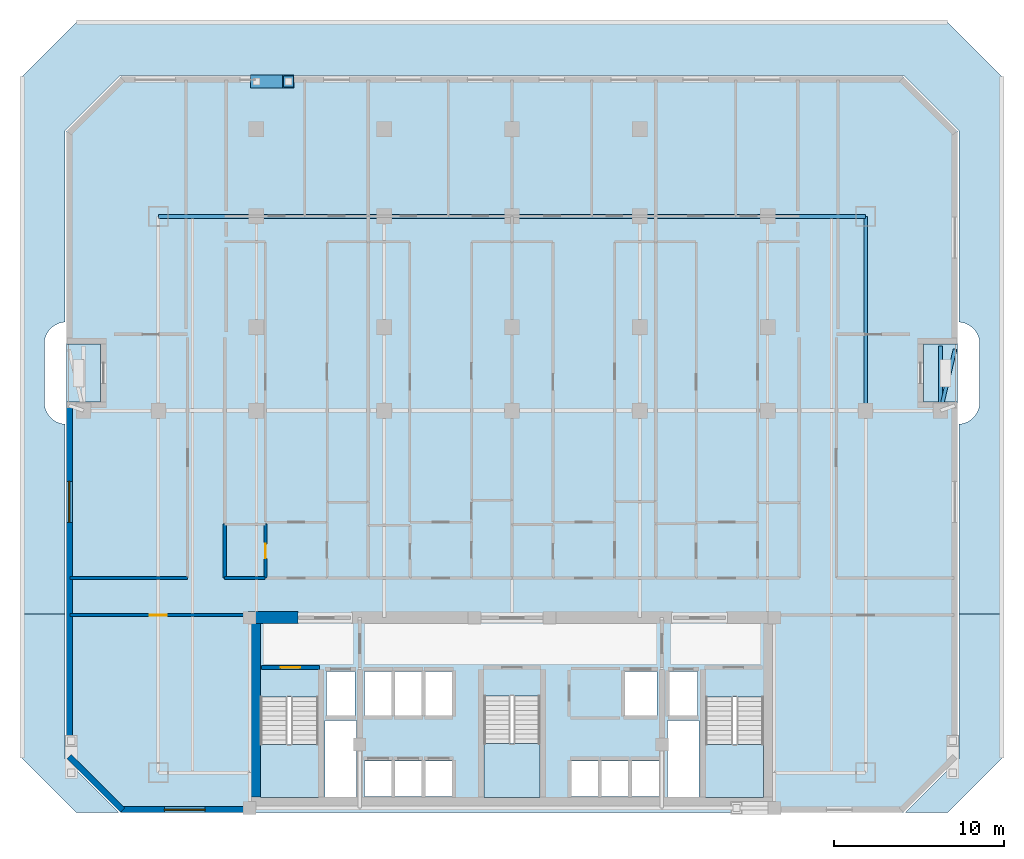
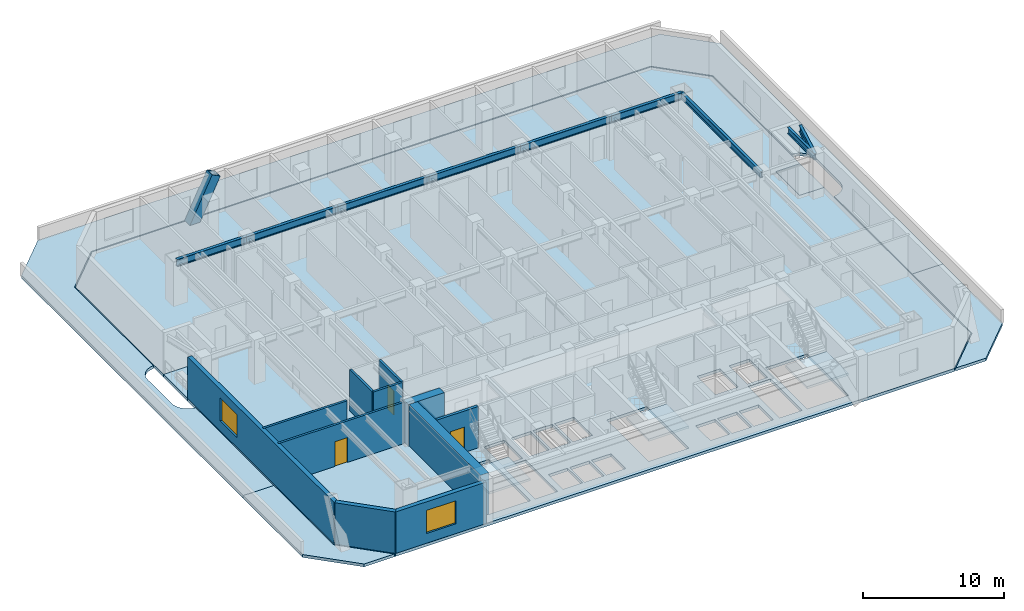
# One storey, part 2 of 10: 11 walls, 9 beams, 9 slabs, 3 doors, 2 windows, 1 member, 5 openings, 3 elements without a shape of their own.
"""IFC4 building model written with IfcOpenShell, lengths in metres."""

from ifc_helpers import new_model, si_unit, direction, frame, frame_2d, origin, origin_2d, place, context, subcontext, project, spatial, polyline, rectangle, hollow_rectangle, i_section, outline, extrude, material, layer, layer_set, material_profile, profile_set, type_object, element, fill, aggregate, save


model = new_model("IFC4")

# Units and contexts
model_context = context("Model", 3, precision=1e-05, world=origin(), true_north=direction((0.0, 1.0)))
body_context = subcontext(model_context, "Body", "Model", "MODEL_VIEW")
ifc_project = project(units=[si_unit("LENGTHUNIT", "METRE"), si_unit("AREAUNIT", "SQUARE_METRE"), si_unit("VOLUMEUNIT", "CUBIC_METRE"), si_unit("PLANEANGLEUNIT", "RADIAN"), si_unit("MASSUNIT", "GRAM", prefix="KILO")], contexts=[model_context])

# Site, building, storey
site_placement = place(None, origin())
site = spatial("IfcSite", under=ifc_project, at=site_placement, CompositionType="ELEMENT")
building_placement = place(site_placement, origin())
building = spatial("IfcBuilding", under=site, at=building_placement, Name="Ventersveld Concourse Tower", CompositionType="ELEMENT")
storey_placement = place(building_placement, frame((0.0, 0.0, 92.60009765625)))
storey = spatial("IfcBuildingStorey", under=building, at=storey_placement, Name="L22", CompositionType="ELEMENT", Elevation=92.60009765625)

# Beams
ifc_material_1 = material(Name="Structural steel S355J2", Category="steel")
ifc_material_profile_1 = material_profile(ifc_material_1, i_section(OverallWidth=0.230224609375, OverallDepth=0.6171875, WebThickness=0.01318359375, FlangeThickness=0.022216796875, FilletRadius=0.0126953125, at=origin_2d()), Name="UB 610x229x140")
ifc_profile_set_1 = profile_set([ifc_material_profile_1], Name="Structural steel S355J2")
beam_type_1 = type_object("IfcBeamType", Name="GRD-UB610", PredefinedType="USERDEFINED", material=ifc_profile_set_1)
beam_1_placement = place(storey_placement, frame((8.0, 35.0, 3.291259765625), z_axis=(1.0, 0.0, 0.0), x_axis=(0.0, 1.0, 0.0)))
element("IfcBeam", 1, at=beam_1_placement, inside=storey, type_object=beam_type_1, Name="L22 E-W Grid Girder Y=35.00 #1", ObjectType="GIRDER", PredefinedType="USERDEFINED", context=body_context, shape_type="SweptSolid", body=[
    extrude(i_section(OverallWidth=0.230224609375, OverallDepth=0.6171875, WebThickness=0.01318359375, FlangeThickness=0.022216796875, FilletRadius=0.0126953125, at=origin_2d()), origin(), (0.0, 0.0, 1.0), 5.75),
])
for number, where, z_axis, x_axis, name in (
    (2, (13.75, 35.0, 3.291259765625), (1.0, 0.0, 0.0), (0.0, 1.0, 0.0), "L22 E-W Grid Girder Y=35.00 #2"),
    (3, (21.25, 35.0, 3.291259765625), (1.0, 0.0, 0.0), (0.0, 1.0, 0.0), "L22 E-W Grid Girder Y=35.00 #3"),
    (4, (28.75, 35.0, 3.291259765625), (1.0, 0.0, 0.0), (0.0, 1.0, 0.0), "L22 E-W Grid Girder Y=35.00 #4"),
    (5, (36.25, 35.0, 3.291259765625), (1.0, 0.0, 0.0), (0.0, 1.0, 0.0), "L22 E-W Grid Girder Y=35.00 #5"),
):
    element("IfcBeam", number, at=place(storey_placement, frame(where, z_axis=z_axis, x_axis=x_axis)), inside=storey, type_object=beam_type_1, Name=name, ObjectType="GIRDER", PredefinedType="USERDEFINED", context=body_context, shape_type="SweptSolid", body=[
        extrude(i_section(OverallWidth=0.230224609375, OverallDepth=0.6171875, WebThickness=0.01318359375, FlangeThickness=0.022216796875, FilletRadius=0.0126953125, at=origin_2d()), origin(), (0.0, 0.0, 1.0), 7.5),
    ])
beam_2_placement = place(storey_placement, frame((43.75, 35.0, 3.291259765625), z_axis=(1.0, 0.0, 0.0), x_axis=(0.0, 1.0, 0.0)))
element("IfcBeam", 6, at=beam_2_placement, inside=storey, type_object=beam_type_1, Name="L22 E-W Grid Girder Y=35.00 #6", ObjectType="GIRDER", PredefinedType="USERDEFINED", context=body_context, shape_type="SweptSolid", body=[
    extrude(i_section(OverallWidth=0.230224609375, OverallDepth=0.6171875, WebThickness=0.01318359375, FlangeThickness=0.022216796875, FilletRadius=0.0126953125, at=origin_2d()), origin(), (0.0, 0.0, 1.0), 5.75),
])

# Member
ifc_material_2 = material(Name="Structural steel S355ML", Category="steel")
ifc_material_profile_2 = material_profile(ifc_material_2, hollow_rectangle(XDim=0.75, YDim=0.75, WallThickness=0.044921875, at=origin_2d()), Name="BOX 750x750x45")
ifc_profile_set_2 = profile_set([ifc_material_profile_2], Name="Structural steel S355ML")
member_type = type_object("IfcMemberType", Name="MB-750x750", PredefinedType="BRACE", material=ifc_profile_set_2)
member_placement = place(storey_placement, frame((13.75, 42.919921875, -0.25), z_axis=(0.437861906815, 0.0, 0.899042240699), x_axis=(0.0, 1.0, 0.0)))
element("IfcMember", 7, at=member_placement, inside=storey, type_object=member_type, Name="L22 Exterior Mega-Brace N (Module M05)", PredefinedType="BRACE", context=body_context, shape_type="SweptSolid", body=[
    extrude(hollow_rectangle(XDim=0.75, YDim=0.75, WallThickness=0.044921875, at=origin_2d()), origin(), (0.0, 0.0, 1.0), 4.2822265625),
])

# Beams
ifc_material_profile_3 = material_profile(ifc_material_1, i_section(OverallWidth=0.2119140625, OverallDepth=0.54443359375, WebThickness=0.0126953125, FlangeThickness=0.021240234375, FilletRadius=0.0126953125, at=origin_2d()), Name="UB 533x210x122")
ifc_profile_set_3 = profile_set([ifc_material_profile_3], Name="Structural steel S355J2")
beam_type_2 = type_object("IfcBeamType", Name="SPD-UB533", PredefinedType="SPANDREL", material=ifc_profile_set_3)
beam_3_placement = place(storey_placement, frame((49.5, 23.60009765625, 3.32763671875), z_axis=(0.0, 1.0, 0.0), x_axis=(-1.0, 0.0, 0.0)))
element("IfcBeam", 8, at=beam_3_placement, inside=storey, type_object=beam_type_2, Name="L22 East Spandrel Beam N", PredefinedType="SPANDREL", context=body_context, shape_type="SweptSolid", body=[
    extrude(i_section(OverallWidth=0.2119140625, OverallDepth=0.54443359375, WebThickness=0.0126953125, FlangeThickness=0.021240234375, FilletRadius=0.0126953125, at=origin_2d()), origin(), (0.0, 0.0, 1.0), 11.39990234375),
])
beam_4_placement = place(storey_placement, frame((53.89990234375, 23.60009765625, 3.32763671875), z_axis=(0.0, 1.0, 0.0), x_axis=(-1.0, 0.0, 0.0)))
element("IfcBeam", 9, at=beam_4_placement, inside=storey, type_object=beam_type_2, Name="L22 East Valley Spine Girder", PredefinedType="SPANDREL", context=body_context, shape_type="SweptSolid", body=[
    extrude(i_section(OverallWidth=0.2119140625, OverallDepth=0.54443359375, WebThickness=0.0126953125, FlangeThickness=0.021240234375, FilletRadius=0.0126953125, at=origin_2d()), origin(), (0.0, 0.0, 1.0), 3.7998046875),
])
beam_5_placement = place(storey_placement, frame((53.89990234375, 23.60009765625, 3.32763671875), z_axis=(0.229826547993, 0.973231605445, 0.0), x_axis=(-0.973231605445, 0.229826547993, 0.0)))
element("IfcBeam", 10, at=beam_5_placement, inside=storey, type_object=beam_type_2, Name="L22 East Valley Corner Bracket 2", PredefinedType="SPANDREL", context=body_context, shape_type="SweptSolid", body=[
    extrude(i_section(OverallWidth=0.2119140625, OverallDepth=0.54443359375, WebThickness=0.0126953125, FlangeThickness=0.021240234375, FilletRadius=0.0126953125, at=origin_2d()), origin(), (0.0, 0.0, 1.0), 3.698974609375),
])

# Slabs
ifc_material_3 = material(Name="Concrete C50/60", Category="concrete")
ifc_layer_1 = layer(ifc_material_3, 0.25)
ifc_layer_set_1 = layer_set([ifc_layer_1], Name="Concrete C50/60")
slab_type_1 = type_object("IfcSlabType", Name="SL-FLR-250", PredefinedType="FLOOR", material=ifc_layer_set_1)
slab_1_placement = place(storey_placement, frame((0.0, 0.0, -0.25)))
element("IfcSlab", 11, at=slab_1_placement, inside=storey, type_object=slab_type_1, Name="L22 Composite Floor Slab", PredefinedType="FLOOR", context=body_context, shape_type="SweptSolid", body=[
    extrude(outline(polyline([(5.800048828125, 0.0), (51.699951171875, 0.0), (54.89990234375, 3.199951171875), (54.89990234375, 24.10009765625), (52.89990234375, 24.10009765625), (52.89990234375, 27.5), (54.89990234375, 27.5), (54.89990234375, 40.0), (51.699951171875, 43.199951171875), (5.800048828125, 43.199951171875), (2.60009765625, 40.0), (2.60009765625, 27.5), (4.60009765625, 27.5), (4.60009765625, 24.10009765625), (2.60009765625, 24.10009765625), (2.60009765625, 3.199951171875), (5.800048828125, 0.0)]), holes=[polyline([(13.97998046875, 6.794921875), (13.97998046875, 0.89990234375), (17.3798828125, 0.89990234375), (17.3798828125, 6.794921875), (13.97998046875, 6.794921875)]), polyline([(40.1201171875, 6.794921875), (40.1201171875, 0.89990234375), (43.52001953125, 0.89990234375), (43.52001953125, 6.794921875), (40.1201171875, 6.794921875)]), polyline([(27.10009765625, 6.844970703125), (27.10009765625, 0.89990234375), (30.39990234375, 0.89990234375), (30.39990234375, 6.844970703125), (27.10009765625, 6.844970703125)]), polyline([(17.85009765625, 5.699951171875), (19.530029296875, 5.699951171875), (19.530029296875, 8.300048828125), (17.85009765625, 8.300048828125), (17.85009765625, 5.699951171875)]), polyline([(37.969970703125, 5.699951171875), (39.64990234375, 5.699951171875), (39.64990234375, 8.300048828125), (37.969970703125, 8.300048828125), (37.969970703125, 5.699951171875)]), polyline([(35.35009765625, 5.699951171875), (37.25, 5.699951171875), (37.25, 8.300048828125), (35.35009765625, 8.300048828125), (35.35009765625, 5.699951171875)]), polyline([(20.090087890625, 0.949951171875), (21.68994140625, 0.949951171875), (21.68994140625, 3.050048828125), (20.090087890625, 3.050048828125), (20.090087890625, 0.949951171875)]), polyline([(21.8701171875, 0.949951171875), (23.469970703125, 0.949951171875), (23.469970703125, 3.050048828125), (21.8701171875, 3.050048828125), (21.8701171875, 0.949951171875)]), polyline([(23.64990234375, 0.949951171875), (25.25, 0.949951171875), (25.25, 3.050048828125), (23.64990234375, 3.050048828125), (23.64990234375, 0.949951171875)]), polyline([(32.2099609375, 0.949951171875), (33.81005859375, 0.949951171875), (33.81005859375, 3.050048828125), (32.2099609375, 3.050048828125), (32.2099609375, 0.949951171875)]), polyline([(33.989990234375, 0.949951171875), (35.590087890625, 0.949951171875), (35.590087890625, 3.050048828125), (33.989990234375, 3.050048828125), (33.989990234375, 0.949951171875)]), polyline([(35.77001953125, 0.949951171875), (37.3701171875, 0.949951171875), (37.3701171875, 3.050048828125), (35.77001953125, 3.050048828125), (35.77001953125, 0.949951171875)]), polyline([(20.090087890625, 5.699951171875), (21.68994140625, 5.699951171875), (21.68994140625, 8.300048828125), (20.090087890625, 8.300048828125), (20.090087890625, 5.699951171875)]), polyline([(21.8701171875, 5.699951171875), (23.469970703125, 5.699951171875), (23.469970703125, 8.300048828125), (21.8701171875, 8.300048828125), (21.8701171875, 5.699951171875)]), polyline([(23.64990234375, 5.699951171875), (25.25, 5.699951171875), (25.25, 8.300048828125), (23.64990234375, 8.300048828125), (23.64990234375, 5.699951171875)]), polyline([(17.780029296875, 0.919921875), (19.6201171875, 0.919921875), (19.6201171875, 5.419921875), (17.780029296875, 5.419921875), (17.780029296875, 0.919921875)]), polyline([(37.8798828125, 0.919921875), (39.719970703125, 0.919921875), (39.719970703125, 5.419921875), (37.8798828125, 5.419921875), (37.8798828125, 0.919921875)])]), origin(), (0.0, 0.0, 1.0), 0.25),
])
slab_2_placement = place(storey_placement, frame((0.0, 0.0, -0.25)))
element("IfcSlab", 12, at=slab_2_placement, inside=storey, type_object=slab_type_1, Name="L22 Outdoor Terrace Slab NOTCH-W", PredefinedType="FLOOR", context=body_context, shape_type="SweptSolid", body=[
    extrude(outline(polyline([(2.60009765625, 24.10009765625), (4.60009765625, 24.10009765625), (4.60009765625, 27.5), (2.60009765625, 27.5), (2.60009765625, 24.10009765625)])), origin(), (0.0, 0.0, 1.0), 0.25),
])
slab_3_placement = place(storey_placement, frame((0.0, 0.0, -0.25)))
element("IfcSlab", 13, at=slab_3_placement, inside=storey, type_object=slab_type_1, Name="L22 Outdoor Terrace Slab NOTCH-E", PredefinedType="FLOOR", context=body_context, shape_type="SweptSolid", body=[
    extrude(outline(polyline([(52.89990234375, 24.10009765625), (54.89990234375, 24.10009765625), (54.89990234375, 27.5), (52.89990234375, 27.5), (52.89990234375, 24.10009765625)])), origin(), (0.0, 0.0, 1.0), 0.25),
])

# Stair, slab
stair_type_1 = type_object("IfcStairType", Name="ST-DOG-160", PredefinedType="HALF_TURN_STAIR", material=ifc_material_3)
stair_1_placement = place(storey_placement, origin())
stair_1 = element("IfcStair", 14, at=stair_1_placement, inside=storey, type_object=stair_type_1, Name="L22 Protected Tower Escape Stair ST-01", PredefinedType="HALF_TURN_STAIR")
ifc_layer_2 = layer(ifc_material_3, 0.199951171875)
ifc_layer_set_2 = layer_set([ifc_layer_2], Name="Concrete C50/60")
slab_type_2 = type_object("IfcSlabType", Name="SL-LND-200", PredefinedType="LANDING", material=ifc_layer_set_2)
slab_4_placement = place(storey_placement, frame((0.0, 0.0, 1.724853515625)))
slab_4 = element("IfcSlab", 15, at=slab_4_placement, type_object=slab_type_2, Name="ST-01 landing 1", PredefinedType="LANDING", context=body_context, shape_type="SweptSolid", body=[
    extrude(outline(polyline([(13.97998046875, 4.0), (13.97998046875, 0.89990234375), (17.3798828125, 0.89990234375), (17.3798828125, 4.0), (13.97998046875, 4.0)])), origin(), (0.0, 0.0, 1.0), 0.199951171875),
])
aggregate(stair_1, [slab_4])

stair_2_placement = place(storey_placement, origin())
stair_2 = element("IfcStair", 16, at=stair_2_placement, inside=storey, type_object=stair_type_1, Name="L22 Protected Tower Escape Stair ST-02", PredefinedType="HALF_TURN_STAIR")
slab_5_placement = place(storey_placement, frame((0.0, 0.0, 1.724853515625)))
slab_5 = element("IfcSlab", 17, at=slab_5_placement, type_object=slab_type_2, Name="ST-02 landing 1", PredefinedType="LANDING", context=body_context, shape_type="SweptSolid", body=[
    extrude(outline(polyline([(40.1201171875, 4.0), (40.1201171875, 0.89990234375), (43.52001953125, 0.89990234375), (43.52001953125, 4.0), (40.1201171875, 4.0)])), origin(), (0.0, 0.0, 1.0), 0.199951171875),
])
aggregate(stair_2, [slab_5])

stair_type_2 = type_object("IfcStairType", Name="ST-DOG-155", PredefinedType="HALF_TURN_STAIR", material=ifc_material_3)
stair_3_placement = place(storey_placement, origin())
stair_3 = element("IfcStair", 18, at=stair_3_placement, inside=storey, type_object=stair_type_2, Name="L22 Protected Central Core Escape Stair ST-03", PredefinedType="HALF_TURN_STAIR")
slab_6_placement = place(storey_placement, frame((0.0, 0.0, 1.724853515625)))
slab_6 = element("IfcSlab", 19, at=slab_6_placement, type_object=slab_type_2, Name="ST-03 landing 1", PredefinedType="LANDING", context=body_context, shape_type="SweptSolid", body=[
    extrude(outline(polyline([(27.10009765625, 4.050048828125), (27.10009765625, 0.89990234375), (30.39990234375, 0.89990234375), (30.39990234375, 4.050048828125), (27.10009765625, 4.050048828125)])), origin(), (0.0, 0.0, 1.0), 0.199951171875),
])
aggregate(stair_3, [slab_6])

# Slabs
ifc_layer_3 = layer(ifc_material_3, 0.25)
ifc_layer_set_3 = layer_set([ifc_layer_3], Name="Concrete C50/60")
slab_type_3 = type_object("IfcSlabType", Name="SL-ROOF-250", PredefinedType="ROOF", material=ifc_layer_set_3)
slab_7_placement = place(storey_placement, frame((0.0, 0.0, -0.25)))
element("IfcSlab", 20, at=slab_7_placement, inside=storey, type_object=slab_type_3, Name="L22 Maintenance Setback Roof Slab N1", PredefinedType="ROOF", context=body_context, shape_type="SweptSolid", body=[
    extrude(outline(polyline([(0.0, 43.199951171875), (3.199951171875, 46.39990234375), (54.300048828125, 46.39990234375), (57.5, 43.199951171875), (57.5, 11.64990234375), (54.97998046875, 11.64990234375), (54.97998046875, 22.803955078125), (55.02734375, 22.806396484375), (55.153564453125, 22.824951171875), (55.27734375, 22.85595703125), (55.3974609375, 22.89892578125), (55.5126953125, 22.95361328125), (55.622314453125, 23.01904296875), (55.724609375, 23.09521484375), (55.819091796875, 23.180908203125), (55.90478515625, 23.275390625), (55.98095703125, 23.377685546875), (56.04638671875, 23.4873046875), (56.10107421875, 23.6025390625), (56.14404296875, 23.72265625), (56.175048828125, 23.846435546875), (56.193603515625, 23.97265625), (56.199951171875, 24.10009765625), (56.199951171875, 27.5), (56.193603515625, 27.62744140625), (56.175048828125, 27.753662109375), (56.14404296875, 27.87744140625), (56.10107421875, 27.99755859375), (56.04638671875, 28.11279296875), (55.98095703125, 28.22216796875), (55.90478515625, 28.32470703125), (55.819091796875, 28.419189453125), (55.724609375, 28.5048828125), (55.622314453125, 28.580810546875), (55.5126953125, 28.646484375), (55.3974609375, 28.700927734375), (55.27734375, 28.743896484375), (55.153564453125, 28.77490234375), (55.02734375, 28.793701171875), (54.97998046875, 28.796142578125), (54.97998046875, 40.0), (54.9794921875, 40.0078125), (54.978515625, 40.015625), (54.9765625, 40.023193359375), (54.973876953125, 40.030517578125), (54.970703125, 40.03759765625), (54.966552734375, 40.04443359375), (54.9619140625, 40.05078125), (54.95654296875, 40.056640625), (51.756591796875, 43.256591796875), (51.750732421875, 43.26171875), (51.744384765625, 43.2666015625), (51.73779296875, 43.2705078125), (51.730712890625, 43.27392578125), (51.72314453125, 43.276611328125), (51.715576171875, 43.278564453125), (51.707763671875, 43.279541015625), (51.699951171875, 43.280029296875), (5.800048828125, 43.280029296875), (5.792236328125, 43.279541015625), (5.784423828125, 43.278564453125), (5.77685546875, 43.276611328125), (5.769287109375, 43.27392578125), (5.76220703125, 43.2705078125), (5.755615234375, 43.2666015625), (5.749267578125, 43.26171875), (5.743408203125, 43.256591796875), (2.54345703125, 40.056640625), (2.5380859375, 40.05078125), (2.533447265625, 40.04443359375), (2.529296875, 40.03759765625), (2.526123046875, 40.030517578125), (2.5234375, 40.023193359375), (2.521484375, 40.015625), (2.5205078125, 40.0078125), (2.52001953125, 40.0), (2.52001953125, 28.796142578125), (2.47265625, 28.793701171875), (2.346435546875, 28.77490234375), (2.22265625, 28.743896484375), (2.1025390625, 28.700927734375), (1.9873046875, 28.646484375), (1.877685546875, 28.580810546875), (1.775390625, 28.5048828125), (1.680908203125, 28.419189453125), (1.59521484375, 28.32470703125), (1.51904296875, 28.22216796875), (1.45361328125, 28.11279296875), (1.39892578125, 27.99755859375), (1.35595703125, 27.87744140625), (1.324951171875, 27.753662109375), (1.306396484375, 27.62744140625), (1.300048828125, 27.5), (1.300048828125, 24.10009765625), (1.306396484375, 23.97265625), (1.324951171875, 23.846435546875), (1.35595703125, 23.72265625), (1.39892578125, 23.6025390625), (1.45361328125, 23.4873046875), (1.51904296875, 23.377685546875), (1.59521484375, 23.275390625), (1.680908203125, 23.180908203125), (1.775390625, 23.09521484375), (1.877685546875, 23.01904296875), (1.9873046875, 22.95361328125), (2.1025390625, 22.89892578125), (2.22265625, 22.85595703125), (2.346435546875, 22.824951171875), (2.47265625, 22.806396484375), (2.52001953125, 22.803955078125), (2.52001953125, 11.64990234375), (0.0, 11.64990234375), (0.0, 43.199951171875)])), origin(), (0.0, 0.0, 1.0), 0.25),
])
slab_8_placement = place(storey_placement, frame((0.0, 0.0, -0.25)))
element("IfcSlab", 21, at=slab_8_placement, inside=storey, type_object=slab_type_3, Name="L22 Maintenance Setback Roof Slab W2", PredefinedType="ROOF", context=body_context, shape_type="SweptSolid", body=[
    extrude(outline(polyline([(0.0, 3.199951171875), (0.0, 11.64990234375), (2.52001953125, 11.64990234375), (2.52001953125, 3.199951171875), (2.5205078125, 3.192138671875), (2.521484375, 3.184326171875), (2.5234375, 3.1767578125), (2.526123046875, 3.16943359375), (2.529296875, 3.162353515625), (2.533447265625, 3.155517578125), (2.5380859375, 3.149169921875), (2.54345703125, 3.143310546875), (5.68701171875, 0.0), (3.199951171875, 0.0), (0.0, 3.199951171875)])), origin(), (0.0, 0.0, 1.0), 0.25),
])
slab_9_placement = place(storey_placement, frame((0.0, 0.0, -0.25)))
element("IfcSlab", 22, at=slab_9_placement, inside=storey, type_object=slab_type_3, Name="L22 Maintenance Setback Roof Slab E3", PredefinedType="ROOF", context=body_context, shape_type="SweptSolid", body=[
    extrude(outline(polyline([(57.5, 3.199951171875), (54.300048828125, 0.0), (51.81298828125, 0.0), (54.95654296875, 3.143310546875), (54.9619140625, 3.149169921875), (54.966552734375, 3.155517578125), (54.970703125, 3.162353515625), (54.973876953125, 3.16943359375), (54.9765625, 3.1767578125), (54.978515625, 3.184326171875), (54.9794921875, 3.192138671875), (54.97998046875, 3.199951171875), (54.97998046875, 11.64990234375), (57.5, 11.64990234375), (57.5, 3.199951171875)])), origin(), (0.0, 0.0, 1.0), 0.25),
])

# Walls
ifc_material_4 = material(Name="Concrete C60/75", Category="concrete")
ifc_layer_4 = layer(ifc_material_4, 0.699951171875)
ifc_layer_set_4 = layer_set([ifc_layer_4], Name="Concrete C60/75")
wall_type_1 = type_object("IfcWallType", Name="WL-CORE-700", PredefinedType="SHEAR", material=ifc_layer_set_4)
wall_1_placement = place(storey_placement, frame((13.64990234375, 0.919921875, 0.0), z_axis=(0.0, 0.0, 1.0), x_axis=(0.0, 1.0, 0.0)))
element("IfcWall", 23, at=wall_1_placement, inside=storey, type_object=wall_type_1, Name="L22 Rear Core West Shear Wall", PredefinedType="SHEAR", context=body_context, shape_type="SweptSolid", body=[
    extrude(rectangle(XDim=10.530029296875, YDim=0.699951171875, at=frame_2d((5.26513671875, 0.0))), origin(), (0.0, 0.0, 1.0), 3.599853515625),
])
wall_2_placement = place(storey_placement, frame((13.25, 11.449951171875, 0.0), z_axis=(0.0, 0.0, 1.0), x_axis=(1.0, 0.0, 0.0)))
element("IfcWall", 24, at=wall_2_placement, inside=storey, type_object=wall_type_1, Name="L22 Rear Core North Shear Wall NW", PredefinedType="SHEAR", context=body_context, shape_type="SweptSolid", body=[
    extrude(rectangle(XDim=2.949951171875, YDim=0.699951171875, at=frame_2d((1.47509765625, 0.0))), origin(), (0.0, 0.0, 1.0), 3.599853515625),
])

# Wall, opening, door
ifc_material_5 = material(Name="Fire-rated autoclaved aerated masonry blockwork", Category="masonry")
ifc_layer_5 = layer(ifc_material_5, 0.179931640625)
ifc_layer_set_5 = layer_set([ifc_layer_5], Name="Fire-rated autoclaved aerated masonry blockwork")
wall_type_2 = type_object("IfcWallType", Name="WL-CORR-180", PredefinedType="PARTITIONING", material=ifc_layer_set_5)
wall_3_placement = place(storey_placement, frame((2.81005859375, 11.60009765625, 0.0), z_axis=(0.0, 0.0, 1.0), x_axis=(1.0, 0.0, 0.0)))
wall_3 = element("IfcWall", 25, at=wall_3_placement, inside=storey, type_object=wall_type_2, Name="L22 Interior Partition SP-L22-SW-GAL-SP-L22-COR", PredefinedType="PARTITIONING", context=body_context, shape_type="SweptSolid", body=[
    extrude(rectangle(XDim=10.3349609375, YDim=0.179931640625, at=frame_2d((5.16748046875, 0.0))), origin(), (0.0, 0.0, 1.0), 3.599853515625),
])
opening_1_placement = place(wall_3_placement, frame((4.66748046875, 0.0, 0.0)))
opening_1 = element("IfcOpeningElement", 26, at=opening_1_placement, cuts=wall_3, Name="Opening FD3", PredefinedType="OPENING", context=body_context, shape_type="SweptSolid", body=[
    extrude(rectangle(XDim=1.0, YDim=2.14990234375, at=frame_2d((0.5, 1.074951171875))), frame((0.0, 0.10009765625, 0.0), z_axis=(0.0, -1.0, 0.0), x_axis=(1.0, 0.0, 0.0)), (0.0, 0.0, 1.0), 0.199951171875),
])
ifc_material_6 = material(Name="Solid-core hardwood veneer timber", Category="wood")
door_type_1 = type_object("IfcDoorType", Name="DR-FLAT-100", OperationType="NOTDEFINED", PredefinedType="DOOR", material=ifc_material_6)
door_1_placement = place(opening_1_placement, origin())
door_1 = element("IfcDoor", 27, at=door_1_placement, inside=storey, type_object=door_type_1, Name="L22 Interior Door SP-L22-SW-GAL to SP-L22-COR (D-L22-1068)", OperationType="SINGLE_SWING_RIGHT", OverallHeight=2.14990234375, OverallWidth=1.0, PredefinedType="DOOR", context=body_context, shape_type="SweptSolid", body=[
    extrude(rectangle(XDim=1.0, YDim=2.14990234375, at=frame_2d((0.5, 1.074951171875))), frame((0.0, 0.02490234375, 0.0), z_axis=(0.0, -1.0, 0.0), x_axis=(1.0, 0.0, 0.0)), (0.0, 0.0, 1.0), 0.050048828125),
])
fill(opening_1, door_1)

# Walls
wall_4_placement = place(storey_placement, frame((2.81005859375, 13.77001953125, 0.0), z_axis=(0.0, 0.0, 1.0), x_axis=(1.0, 0.0, 0.0)))
element("IfcWall", 28, at=wall_4_placement, inside=storey, type_object=wall_type_2, Name="L22 Interior Partition SP-L22-COR-SP-L22-NWLNG1", PredefinedType="PARTITIONING", context=body_context, shape_type="SweptSolid", body=[
    extrude(rectangle(XDim=6.905029296875, YDim=0.179931640625, at=frame_2d((3.45263671875, 0.0))), origin(), (0.0, 0.0, 1.0), 3.599853515625),
])
wall_5_placement = place(storey_placement, frame((11.889892578125, 13.764892578125, 0.0), z_axis=(0.0, 0.0, 1.0), x_axis=(0.0, 1.0, 0.0)))
element("IfcWall", 29, at=wall_5_placement, inside=storey, type_object=wall_type_2, Name="L22 Interior Partition SP-L22-COR-SP-L22-22N1-BATH", PredefinedType="PARTITIONING", context=body_context, shape_type="SweptSolid", body=[
    extrude(rectangle(XDim=3.176025390625, YDim=0.179931640625, at=frame_2d((1.587890625, 0.0))), origin(), (0.0, 0.0, 1.0), 3.599853515625),
])
wall_6_placement = place(storey_placement, frame((11.885009765625, 13.77001953125, 0.0), z_axis=(0.0, 0.0, 1.0), x_axis=(1.0, 0.0, 0.0)))
element("IfcWall", 30, at=wall_6_placement, inside=storey, type_object=wall_type_2, Name="L22 Interior Partition SP-L22-COR-SP-L22-22N1-BATH", PredefinedType="PARTITIONING", context=body_context, shape_type="SweptSolid", body=[
    extrude(rectangle(XDim=2.3603515625, YDim=0.179931640625, at=frame_2d((1.18017578125, 0.0))), origin(), (0.0, 0.0, 1.0), 3.599853515625),
])

# Wall, opening, door
ifc_layer_6 = layer(ifc_material_5, 0.219970703125)
ifc_layer_set_6 = layer_set([ifc_layer_6], Name="Fire-rated autoclaved aerated masonry blockwork")
wall_type_3 = type_object("IfcWallType", Name="WL-HOIST-220", PredefinedType="SOLIDWALL", material=ifc_layer_set_6)
wall_7_placement = place(storey_placement, frame((14.0400390625, 8.52001953125, 0.0), z_axis=(0.0, 0.0, 1.0), x_axis=(1.0, 0.0, 0.0)))
wall_7 = element("IfcWall", 31, at=wall_7_placement, inside=storey, type_object=wall_type_3, Name="L22 Escape Stair ST01 Fire Wall", PredefinedType="SOLIDWALL", context=body_context, shape_type="SweptSolid", body=[
    extrude(rectangle(XDim=3.39990234375, YDim=0.219970703125, at=frame_2d((1.699951171875, 0.0))), origin(), (0.0, 0.0, 1.0), 3.599853515625),
])
opening_2_placement = place(wall_7_placement, frame((1.125, 0.0, 0.0)))
opening_2 = element("IfcOpeningElement", 32, at=opening_2_placement, cuts=wall_7, Name="Opening FD1", PredefinedType="OPENING", context=body_context, shape_type="SweptSolid", body=[
    extrude(rectangle(XDim=1.14990234375, YDim=2.199951171875, at=frame_2d((0.574951171875, 1.10009765625))), frame((0.0, 0.1201171875, 0.0), z_axis=(0.0, -1.0, 0.0), x_axis=(1.0, 0.0, 0.0)), (0.0, 0.0, 1.0), 0.239990234375),
])
ifc_material_7 = material(Name="Galvanised painted steel", Category="steel")
door_type_2 = type_object("IfcDoorType", Name="DR-STAIR-115", OperationType="NOTDEFINED", PredefinedType="DOOR", material=ifc_material_7)
door_2_placement = place(opening_2_placement, origin())
door_2 = element("IfcDoor", 33, at=door_2_placement, inside=storey, type_object=door_type_2, Name="L22 Escape Stair Door ST01 (SD-L22-1059)", OperationType="SINGLE_SWING_LEFT", OverallHeight=2.199951171875, OverallWidth=1.14990234375, PredefinedType="DOOR", context=body_context, shape_type="SweptSolid", body=[
    extrude(rectangle(XDim=1.14990234375, YDim=2.199951171875, at=frame_2d((0.574951171875, 1.10009765625))), frame((0.0, 0.02490234375, 0.0), z_axis=(0.0, -1.0, 0.0), x_axis=(1.0, 0.0, 0.0)), (0.0, 0.0, 1.0), 0.050048828125),
])
fill(opening_2, door_2)

# Wall, opening, window
ifc_material_8 = material(Name="Precast concrete C45/55", Category="concrete")
ifc_layer_7 = layer(ifc_material_8, 0.35009765625)
ifc_layer_set_7 = layer_set([ifc_layer_7], Name="Precast concrete C45/55")
wall_type_4 = type_object("IfcWallType", Name="WL-PREC-350", PredefinedType="SOLIDWALL", material=ifc_layer_set_7)
wall_8_placement = place(storey_placement, frame((5.840087890625, 0.179931640625, 0.0), z_axis=(0.0, 0.0, 1.0), x_axis=(1.0, 0.0, 0.0)))
wall_8 = element("IfcWall", 34, at=wall_8_placement, inside=storey, type_object=wall_type_4, Name="L22 South-West Flank Precast Wall", PredefinedType="SOLIDWALL", context=body_context, shape_type="SweptSolid", body=[
    extrude(rectangle(XDim=7.409912109375, YDim=0.35009765625, at=frame_2d((3.705078125, 0.0))), origin(), (0.0, 0.0, 1.0), 3.599853515625),
])
opening_3_placement = place(wall_8_placement, frame((2.5048828125, 0.0, 0.85009765625)))
opening_3 = element("IfcOpeningElement", 35, at=opening_3_placement, cuts=wall_8, Name="Opening W5", PredefinedType="OPENING", context=body_context, shape_type="SweptSolid", body=[
    extrude(rectangle(XDim=2.39990234375, YDim=2.0, at=frame_2d((1.199951171875, 1.0))), frame((0.0, 0.18505859375, 0.0), z_axis=(0.0, -1.0, 0.0), x_axis=(1.0, 0.0, 0.0)), (0.0, 0.0, 1.0), 0.3701171875),
])
ifc_material_9 = material(Name="Tempered acoustic Low-E IGU", Category="glass")
window_type = type_object("IfcWindowType", Name="WIN-240x210", PartitioningType="SINGLE_PANEL", PredefinedType="WINDOW", material=ifc_material_9)
window_1_placement = place(opening_3_placement, origin())
window_1 = element("IfcWindow", 36, at=window_1_placement, inside=storey, type_object=window_type, Name="L22 Punched Low-E Window W-0241", OverallHeight=2.0, OverallWidth=2.39990234375, PartitioningType="SINGLE_PANEL", PredefinedType="WINDOW", context=body_context, shape_type="SweptSolid", body=[
    extrude(rectangle(XDim=2.39990234375, YDim=2.0, at=frame_2d((1.199951171875, 1.0))), frame((0.0, 0.030029296875, 0.0), z_axis=(0.0, -1.0, 0.0), x_axis=(1.0, 0.0, 0.0)), (0.0, 0.0, 1.0), 0.06005859375),
])
fill(opening_3, window_1)

wall_9_placement = place(storey_placement, frame((2.77490234375, 24.06005859375, 0.0), z_axis=(0.0, 0.0, 1.0), x_axis=(0.0, -1.0, 0.0)))
wall_9 = element("IfcWall", 37, at=wall_9_placement, inside=storey, type_object=wall_type_4, Name="L22 Highveld Precast Facade Wall E15", PredefinedType="SOLIDWALL", context=body_context, shape_type="SweptSolid", body=[
    extrude(rectangle(XDim=20.820068359375, YDim=0.35009765625, at=frame_2d((10.41015625, 0.0))), origin(), (0.0, 0.0, 1.0), 3.599853515625),
])
opening_4_placement = place(wall_9_placement, frame((4.612548828125, 0.0, 0.85009765625)))
opening_4 = element("IfcOpeningElement", 38, at=opening_4_placement, cuts=wall_9, Name="Opening W5", PredefinedType="OPENING", context=body_context, shape_type="SweptSolid", body=[
    extrude(rectangle(XDim=2.39990234375, YDim=2.0, at=frame_2d((1.199951171875, 1.0))), frame((0.0, 0.18505859375, 0.0), z_axis=(0.0, -1.0, 0.0), x_axis=(1.0, 0.0, 0.0)), (0.0, 0.0, 1.0), 0.3701171875),
])
window_2_placement = place(opening_4_placement, origin())
window_2 = element("IfcWindow", 39, at=window_2_placement, inside=storey, type_object=window_type, Name="L22 Punched Low-E Window W-0243", OverallHeight=2.0, OverallWidth=2.39990234375, PartitioningType="SINGLE_PANEL", PredefinedType="WINDOW", context=body_context, shape_type="SweptSolid", body=[
    extrude(rectangle(XDim=2.39990234375, YDim=2.0, at=frame_2d((1.199951171875, 1.0))), frame((0.0, 0.030029296875, 0.0), z_axis=(0.0, -1.0, 0.0), x_axis=(1.0, 0.0, 0.0)), (0.0, 0.0, 1.0), 0.06005859375),
])
fill(opening_4, window_2)

# Wall
wall_10_placement = place(storey_placement, frame((2.751953125, 3.29541015625, 0.0), z_axis=(0.0, 0.0, 1.0), x_axis=(0.707134240044, -0.707079321262, 0.0)))
element("IfcWall", 40, at=wall_10_placement, inside=storey, type_object=wall_type_4, Name="L22 Highveld Precast Facade Wall E16", PredefinedType="SOLIDWALL", context=body_context, shape_type="SweptSolid", body=[
    extrude(rectangle(XDim=4.445556640625, YDim=0.35009765625, at=frame_2d((2.22265625, 0.0))), origin(), (0.0, 0.0, 1.0), 3.599853515625),
])

# Wall, opening, door
ifc_material_10 = material(Name="Autoclaved aerated masonry blockwork", Category="masonry")
ifc_layer_8 = layer(ifc_material_10, 0.1650390625)
ifc_layer_set_8 = layer_set([ifc_layer_8], Name="Autoclaved aerated masonry blockwork")
wall_type_5 = type_object("IfcWallType", Name="WL-WET-165", PredefinedType="PLUMBINGWALL", material=ifc_layer_set_8)
wall_11_placement = place(storey_placement, frame((14.2802734375, 13.764892578125, 0.0), z_axis=(0.0, 0.0, 1.0), x_axis=(0.0, 1.0, 0.0)))
wall_11 = element("IfcWall", 41, at=wall_11_placement, inside=storey, type_object=wall_type_5, Name="L22 Interior Partition SP-L22-22N1-FOY-SP-L22-22N1-BATH", PredefinedType="PLUMBINGWALL", context=body_context, shape_type="SweptSolid", body=[
    extrude(rectangle(XDim=3.176025390625, YDim=0.1650390625, at=frame_2d((1.587890625, 0.0))), origin(), (0.0, 0.0, 1.0), 3.599853515625),
])
opening_5_placement = place(wall_11_placement, frame((1.1630859375, 0.0, 0.0)))
opening_5 = element("IfcOpeningElement", 42, at=opening_5_placement, cuts=wall_11, Name="Opening ID2", PredefinedType="OPENING", context=body_context, shape_type="SweptSolid", body=[
    extrude(rectangle(XDim=0.85009765625, YDim=2.10009765625, at=frame_2d((0.425048828125, 1.050048828125))), frame((0.0, 0.092529296875, 0.0), z_axis=(0.0, -1.0, 0.0), x_axis=(1.0, 0.0, 0.0)), (0.0, 0.0, 1.0), 0.18505859375),
])
door_type_3 = type_object("IfcDoorType", Name="DR-BATH-085", OperationType="NOTDEFINED", PredefinedType="DOOR", material=ifc_material_6)
door_3_placement = place(opening_5_placement, origin())
door_3 = element("IfcDoor", 43, at=door_3_placement, inside=storey, type_object=door_type_3, Name="L22 Interior Door SP-L22-22N1-FOY to SP-L22-22N1-BATH (D-L22-1079)", OperationType="SINGLE_SWING_LEFT", OverallHeight=2.10009765625, OverallWidth=0.85009765625, PredefinedType="DOOR", context=body_context, shape_type="SweptSolid", body=[
    extrude(rectangle(XDim=0.85009765625, YDim=2.10009765625, at=frame_2d((0.425048828125, 1.050048828125))), frame((0.0, 0.02490234375, 0.0), z_axis=(0.0, -1.0, 0.0), x_axis=(1.0, 0.0, 0.0)), (0.0, 0.0, 1.0), 0.050048828125),
])
fill(opening_5, door_3)

save(model, "model.ifc")
